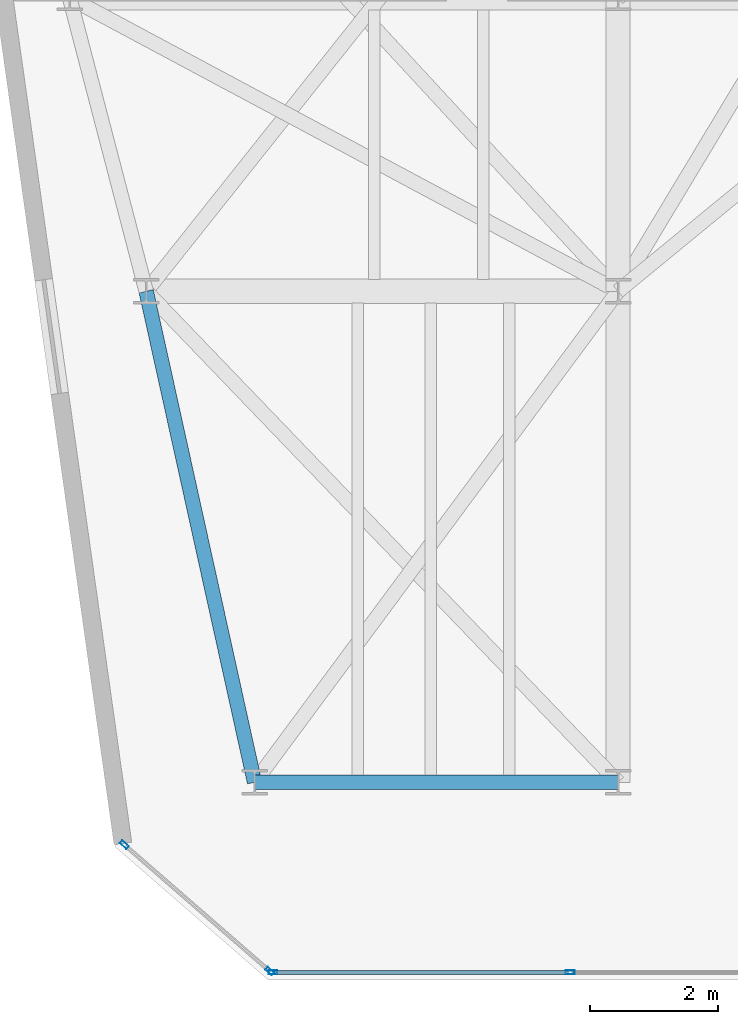
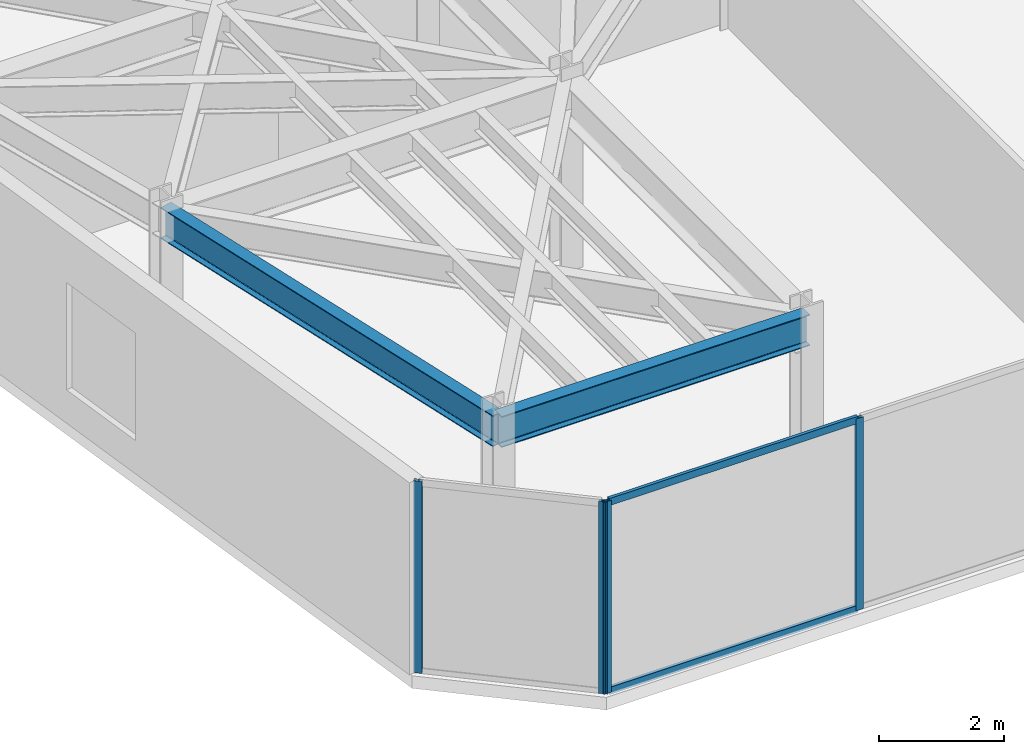
# One storey, part 2 of 21: 6 members, 2 beams, 2 elements without a shape of their own.
"""IFC4 building model written with IfcOpenShell, lengths in metres."""

import ifcopenshell
import ifcopenshell.guid

model = None  # the IFC model being written
_history = None  # IfcOwnerHistory: only IFC2X3 demands one
_inside = {}  # id of a spatial element -> (the spatial element, [elements in it])
_under = {}  # id of a project, library or spatial element -> (it, [spatial elements below it])
_declared = {}  # id of a project -> (the project, [libraries it declares])
_typed = {}  # id of a type object -> (the type object, [elements of that type])
_made_of = {}  # id of a material, layer set ... -> (it, [elements and type objects made of it])


def new_model(schema):
    """Start an empty IFC model of exactly this schema.

    Asked for "IFC4X3", IfcOpenShell would pick the latest addendum, in which some entities
    have other attributes; the version numbers below select the first issue.
    IFC2X3 requires an IfcOwnerHistory on every rooted entity: one is made here for all.
    """
    global model, _history
    if schema == "IFC4X3":
        model = ifcopenshell.file(schema_version=(4, 3, 0, 0))
    else:
        model = ifcopenshell.file(schema=schema)
    _inside.clear()
    _under.clear()
    _declared.clear()
    _typed.clear()
    _made_of.clear()
    _history = None
    if model.schema == "IFC2X3":
        org = make("IfcOrganization", Name="unknown")
        user = make(
            "IfcPersonAndOrganization",
            ThePerson=make("IfcPerson", FamilyName="unknown"),
            TheOrganization=org,
        )
        app = make(
            "IfcApplication",
            ApplicationDeveloper=org,
            Version="unknown",
            ApplicationFullName="unknown",
            ApplicationIdentifier="unknown",
        )
        _history = make(
            "IfcOwnerHistory",
            OwningUser=user,
            OwningApplication=app,
            ChangeAction="ADDED",
            CreationDate=0,
        )
    return model


def make(cls, **values):
    """One entity of the class cls with the attributes given. An attribute that is None is left unset."""
    return model.create_entity(
        cls, **{name: value for name, value in values.items() if value is not None}
    )


def rooted(cls, **values):
    """An entity with a GlobalId (a new one), such as an element, a storey or a relation."""
    return make(cls, GlobalId=ifcopenshell.guid.new(), OwnerHistory=_history, **values)


def si_unit(unit_type, name, prefix=None):
    """IfcSIUnit, for example si_unit("LENGTHUNIT", "METRE", prefix="MILLI")."""
    return make("IfcSIUnit", UnitType=unit_type, Prefix=prefix, Name=name)


def assignment(units):
    """IfcUnitAssignment: the units of a project."""
    return None if units is None else make("IfcUnitAssignment", Units=units)


def point(xyz):
    """IfcCartesianPoint."""
    return None if xyz is None else make("IfcCartesianPoint", Coordinates=xyz)


def direction(xyz):
    """IfcDirection."""
    return None if xyz is None else make("IfcDirection", DirectionRatios=xyz)


def frame(location, z_axis=None, x_axis=None):
    """IfcAxis2Placement3D, a coordinate frame: its origin and axes. An axis left out is left unset."""
    return make(
        "IfcAxis2Placement3D",
        Location=point(location),
        Axis=direction(z_axis),
        RefDirection=direction(x_axis),
    )


def frame_2d(location, x_axis=None):
    """IfcAxis2Placement2D, a coordinate frame in the plane: its origin and x axis."""
    return make(
        "IfcAxis2Placement2D", Location=point(location), RefDirection=direction(x_axis)
    )


def origin():
    """The frame at (0, 0, 0) with its axes left unset."""
    return frame((0.0, 0.0, 0.0))


def origin_2d():
    """The frame at (0, 0) in the plane with its x axis left unset."""
    return frame_2d((0.0, 0.0))


def place(relative_to, where):
    """IfcLocalPlacement: puts the frame where relative to a parent placement (None: the world)."""
    return make(
        "IfcLocalPlacement", PlacementRelTo=relative_to, RelativePlacement=where
    )


def context(
    kind, dimensions, precision=None, world=None, true_north=None, identifier=None
):
    """IfcGeometricRepresentationContext, for example the 3D "Model" context."""
    return make(
        "IfcGeometricRepresentationContext",
        ContextIdentifier=identifier,
        ContextType=kind,
        CoordinateSpaceDimension=dimensions,
        Precision=precision,
        WorldCoordinateSystem=world,
        TrueNorth=true_north,
    )


def subcontext(parent, identifier, kind, view, scale=None):
    """IfcGeometricRepresentationSubContext, for example "Body" below "Model"."""
    return make(
        "IfcGeometricRepresentationSubContext",
        ContextIdentifier=identifier,
        ContextType=kind,
        ParentContext=parent,
        TargetScale=scale,
        TargetView=view,
    )


def project(units=None, contexts=None):
    """IfcProject with its units and contexts."""
    return rooted(
        "IfcProject",
        Name="project",
        RepresentationContexts=contexts,
        UnitsInContext=assignment(units),
    )


def spatial(cls, under=None, at=None, **own):
    """A site, building, storey or space (cls), placed at a placement, below another one or the project."""
    s = rooted(cls, ObjectPlacement=at, **own)
    if under is not None:
        _under.setdefault(under.id(), (under, []))[1].append(s)
    return s


def profile(cls, at=None, kind="AREA", **sizes):
    """A parametric profile (cls). Its sizes go by their IFC names, for example OverallWidth=200.0."""
    return make(cls, ProfileType=kind, Position=at, **sizes)


def hollow_rectangle(**sizes):
    """IfcRectangleHollowProfileDef."""
    return profile("IfcRectangleHollowProfileDef", **sizes)


def i_section(**sizes):
    """IfcIShapeProfileDef."""
    return profile("IfcIShapeProfileDef", **sizes)


def extrude(swept, where, along, depth):
    """IfcExtrudedAreaSolid: the profile swept, set in the frame where, extruded along a direction by depth."""
    return make(
        "IfcExtrudedAreaSolid",
        SweptArea=swept,
        Position=where,
        ExtrudedDirection=direction(along),
        Depth=depth,
    )


def shape(context_of_items, identifier, shape_type, items):
    """IfcShapeRepresentation: the items that make up one representation, for example the "Body"."""
    return make(
        "IfcShapeRepresentation",
        ContextOfItems=context_of_items,
        RepresentationIdentifier=identifier,
        RepresentationType=shape_type,
        Items=items,
    )


def material(Name=None, Category=None):
    """IfcMaterial."""
    return make("IfcMaterial", Name=Name, Category=Category)


def layer(
    of_material, thickness, ventilated=None, Name=None, Category=None, Priority=None
):
    """IfcMaterialLayer: one layer of a wall or slab, of a material (None: an air gap)."""
    return make(
        "IfcMaterialLayer",
        Material=of_material,
        LayerThickness=thickness,
        IsVentilated=ventilated,
        Name=Name,
        Category=Category,
        Priority=Priority,
    )


def layer_set(layers, Name=None):
    """IfcMaterialLayerSet."""
    return make("IfcMaterialLayerSet", MaterialLayers=layers, LayerSetName=Name)


def material_profile(
    of_material, cross_section, Name=None, Category=None, Priority=None
):
    """IfcMaterialProfile: a cross section and its material."""
    return make(
        "IfcMaterialProfile",
        Name=Name,
        Material=of_material,
        Profile=cross_section,
        Priority=Priority,
        Category=Category,
    )


def profile_set(profiles, Name=None, composite=None):
    """IfcMaterialProfileSet."""
    return make(
        "IfcMaterialProfileSet",
        Name=Name,
        MaterialProfiles=profiles,
        CompositeProfile=composite,
    )


def made_of(thing, what):
    """Note that an element or type object is made of a material, layer set ...; save() writes the relation."""
    if what is not None:
        _made_of.setdefault(what.id(), (what, []))[1].append(thing)
    return thing


def type_object(cls, material=None, **own):
    """A type object (cls), such as IfcWallType, which elements share."""
    return made_of(rooted(cls, **own), material)


def element(
    cls,
    number,
    at=None,
    inside=None,
    cuts=None,
    type_object=None,
    material=None,
    context=None,
    identifier="Body",
    shape_type=None,
    held_by="IfcProductDefinitionShape",
    body=None,
    shapes=None,
    **own,
):
    """One element of the class cls, such as IfcWall. Its Tag is "e" and its number.

    at: its placement. inside: the storey or other place that contains it. cuts: it is an
    opening in that element (IfcRelVoidsElement). A single representation is given by context,
    identifier, shape_type and body (its items); several are given by shapes. held_by: the class
    of the entity that holds the representations. save() writes the other relations.
    """
    e = rooted(cls, Tag="e%d" % number, ObjectPlacement=at, **own)
    if body is not None:
        shapes = [shape(context, identifier, shape_type, body)]
    if shapes is not None:
        e.Representation = make(held_by, Representations=shapes)
    if inside is not None:
        _inside.setdefault(inside.id(), (inside, []))[1].append(e)
    if cuts is not None:
        rooted(
            "IfcRelVoidsElement", RelatingBuildingElement=cuts, RelatedOpeningElement=e
        )
    if type_object is not None:
        _typed.setdefault(type_object.id(), (type_object, []))[1].append(e)
    return made_of(e, material)


def aggregate(whole, parts):
    """IfcRelAggregates: a whole, such as a stair, and the parts it consists of."""
    return rooted("IfcRelAggregates", RelatingObject=whole, RelatedObjects=parts)


def save(model, path):
    """Write the relations noted so far, then the file.

    IfcRelAggregates (storeys below a building ...), IfcRelContainedInSpatialStructure (elements
    in a storey), IfcRelDefinesByType, IfcRelAssociatesMaterial and IfcRelDeclares: one each for
    every whole, place, type object, material and project.
    """
    for whole, parts in _under.values():
        aggregate(whole, parts)
    for where, things in _inside.values():
        rooted(
            "IfcRelContainedInSpatialStructure",
            RelatedElements=things,
            RelatingStructure=where,
        )
    for kind, things in _typed.values():
        rooted("IfcRelDefinesByType", RelatedObjects=things, RelatingType=kind)
    for what, things in _made_of.values():
        rooted("IfcRelAssociatesMaterial", RelatedObjects=things, RelatingMaterial=what)
    for by, libraries in _declared.values():
        rooted("IfcRelDeclares", RelatingContext=by, RelatedDefinitions=libraries)
    model.write(path)


model = new_model("IFC4")

# Units and contexts
model_context = context("Model", 3, precision=1e-05, world=origin(), true_north=direction((0.0, 1.0)))
body_context = subcontext(model_context, "Body", "Model", "MODEL_VIEW")
ifc_project = project(units=[si_unit("LENGTHUNIT", "METRE"), si_unit("AREAUNIT", "SQUARE_METRE"), si_unit("VOLUMEUNIT", "CUBIC_METRE"), si_unit("PLANEANGLEUNIT", "RADIAN"), si_unit("MASSUNIT", "GRAM", prefix="KILO")], contexts=[model_context])

# Site, building, storey
site_placement = place(None, origin())
site = spatial("IfcSite", under=ifc_project, at=site_placement, CompositionType="ELEMENT")
building_placement = place(site_placement, origin())
building = spatial("IfcBuilding", under=site, at=building_placement, Name="Kravanh Interchange Tower", CompositionType="ELEMENT")
storey_placement = place(building_placement, frame((0.0, 0.0, 208.5)))
storey = spatial("IfcBuildingStorey", under=building, at=storey_placement, Name="L50", CompositionType="ELEMENT", Elevation=208.5)

# Curtain wall, members
ifc_material_1 = material(Name="Anodised Bronze Aluminium", Category="aluminium")
ifc_layer = layer(ifc_material_1, 0.179931640625)
ifc_layer_set = layer_set([ifc_layer], Name="Unitised Curtain Wall System CW-Z3 Upper Office")
curtain_wall_type = type_object("IfcCurtainWallType", Name="Unitised Curtain Wall System CW-Z3 Upper Office", PredefinedType="NOTDEFINED", material=ifc_layer_set)
curtain_wall_1_placement = place(storey_placement, origin())
curtain_wall_1 = element("IfcCurtainWall", 1, at=curtain_wall_1_placement, inside=storey, type_object=curtain_wall_type, Name="L50 Unitised Curtain Wall CW-L50-05", PredefinedType="NOTDEFINED")
ifc_material_2 = material(Name="Anodised Bronze Aluminium", Category="aluminium")
ifc_material_profile_1 = material_profile(ifc_material_2, hollow_rectangle(XDim=0.06005859375, YDim=0.139892578125, WallThickness=0.00390625, at=origin_2d()), Name="ALU60X140X4")
ifc_profile_set_1 = profile_set([ifc_material_profile_1], Name="Anodised Bronze Aluminium")
member_type_1 = type_object("IfcMemberType", Name="Curtain Wall Mullion ALU60X140X4 Bronze", PredefinedType="MULLION", material=ifc_profile_set_1)
member_1_placement = place(storey_placement, frame((26.447998046875, 11.52001953125, 0.0), z_axis=(0.0, 0.0, 1.0), x_axis=(0.0, -1.0, 0.0)))
member_1 = element("IfcMember", 2, at=member_1_placement, type_object=member_type_1, Name="CW-Z3 mullion 2", PredefinedType="MULLION", context=body_context, shape_type="SweptSolid", body=[
    extrude(hollow_rectangle(XDim=0.06005859375, YDim=0.139892578125, WallThickness=0.00390625, at=origin_2d()), origin(), (0.0, 0.0, 1.0), 3.7548828125),
])
member_2_placement = place(storey_placement, frame((21.7890625, 11.52001953125, 0.0), z_axis=(0.0, 0.0, 1.0), x_axis=(0.0, -1.0, 0.0)))
member_2 = element("IfcMember", 3, at=member_2_placement, type_object=member_type_1, Name="CW-Z3 mullion 3", PredefinedType="MULLION", context=body_context, shape_type="SweptSolid", body=[
    extrude(hollow_rectangle(XDim=0.06005859375, YDim=0.139892578125, WallThickness=0.00390625, at=origin_2d()), origin(), (0.0, 0.0, 1.0), 3.7548828125),
])

curtain_wall_2_placement = place(storey_placement, origin())
curtain_wall_2 = element("IfcCurtainWall", 4, at=curtain_wall_2_placement, inside=storey, type_object=curtain_wall_type, Name="L50 Unitised Curtain Wall CW-L50-06", PredefinedType="NOTDEFINED")
member_3_placement = place(storey_placement, frame((21.736328125, 11.539794921875, 0.0), z_axis=(0.0, 0.0, 1.0), x_axis=(-0.65605090137, -0.754716645379, 0.0)))
member_3 = element("IfcMember", 5, at=member_3_placement, type_object=member_type_1, Name="CW-Z3 mullion 1", PredefinedType="MULLION", context=body_context, shape_type="SweptSolid", body=[
    extrude(hollow_rectangle(XDim=0.06005859375, YDim=0.139892578125, WallThickness=0.00390625, at=origin_2d()), origin(), (0.0, 0.0, 1.0), 3.7548828125),
])
member_4_placement = place(storey_placement, frame((19.45703125, 13.52099609375, 0.0), z_axis=(0.0, 0.0, 1.0), x_axis=(-0.65605090137, -0.754716645379, 0.0)))
member_4 = element("IfcMember", 6, at=member_4_placement, type_object=member_type_1, Name="CW-Z3 mullion 2", PredefinedType="MULLION", context=body_context, shape_type="SweptSolid", body=[
    extrude(hollow_rectangle(XDim=0.06005859375, YDim=0.139892578125, WallThickness=0.00390625, at=origin_2d()), origin(), (0.0, 0.0, 1.0), 3.7548828125),
])
aggregate(curtain_wall_2, [member_3, member_4])

# Member
ifc_material_3 = material(Name="Anodised Bronze Aluminium", Category="aluminium")
ifc_material_profile_2 = material_profile(ifc_material_3, hollow_rectangle(XDim=0.06005859375, YDim=0.139892578125, WallThickness=0.00390625, at=origin_2d()), Name="ALU60X140X4")
ifc_profile_set_2 = profile_set([ifc_material_profile_2], Name="Anodised Bronze Aluminium")
member_type_2 = type_object("IfcMemberType", Name="Curtain Wall Transom ALU60X140X4 Bronze", PredefinedType="USERDEFINED", material=ifc_profile_set_2)
member_5_placement = place(storey_placement, frame((26.41796875, 11.52001953125, 0.030029296875), z_axis=(-1.0, 0.0, 0.0), x_axis=(0.0, -1.0, 0.0)))
member_5 = element("IfcMember", 7, at=member_5_placement, type_object=member_type_2, Name="CW-Z3 transom 2.1", ObjectType="TRANSOM", PredefinedType="USERDEFINED", context=body_context, shape_type="SweptSolid", body=[
    extrude(hollow_rectangle(XDim=0.06005859375, YDim=0.139892578125, WallThickness=0.00390625, at=origin_2d()), origin(), (0.0, 0.0, 1.0), 4.598876953125),
])

member_6_placement = place(storey_placement, frame((26.41796875, 11.52001953125, 3.72509765625), z_axis=(-1.0, 0.0, 0.0), x_axis=(0.0, -1.0, 0.0)))
member_6 = element("IfcMember", 8, at=member_6_placement, type_object=member_type_2, Name="CW-Z3 transom 2.2", ObjectType="TRANSOM", PredefinedType="USERDEFINED", context=body_context, shape_type="SweptSolid", body=[
    extrude(hollow_rectangle(XDim=0.06005859375, YDim=0.139892578125, WallThickness=0.00390625, at=origin_2d()), origin(), (0.0, 0.0, 1.0), 4.598876953125),
])

aggregate(curtain_wall_1, [member_1, member_2, member_5, member_6])

# Beams
ifc_material_4 = material(Name="Structural Steel S355", Category="steel")
ifc_material_profile_3 = material_profile(ifc_material_4, i_section(OverallWidth=0.22802734375, OverallDepth=0.60791015625, WebThickness=0.01123046875, FlangeThickness=0.017333984375, FilletRadius=0.02197265625, at=origin_2d()), Name="W24X76")
ifc_profile_set_3 = profile_set([ifc_material_profile_3], Name="Structural Steel S355")
beam_type = type_object("IfcBeamType", Name="Floor Spandrel W24X76 Structural Steel S355", PredefinedType="SPANDREL", material=ifc_profile_set_3)
beam_1_placement = place(storey_placement, frame((21.5, 14.5, 3.450927734375), z_axis=(1.0, 0.0, 0.0), x_axis=(0.0, 1.0, 0.0)))
element("IfcBeam", 9, at=beam_1_placement, inside=storey, type_object=beam_type, Name="L50 Perimeter Spandrel 30", PredefinedType="SPANDREL", context=body_context, shape_type="SweptSolid", body=[
    extrude(i_section(OverallWidth=0.22802734375, OverallDepth=0.60791015625, WebThickness=0.01123046875, FlangeThickness=0.017333984375, FilletRadius=0.02197265625, at=origin_2d()), origin(), (0.0, 0.0, 1.0), 5.699951171875),
])
beam_2_placement = place(storey_placement, frame((21.5, 14.5, 3.450927734375), z_axis=(-0.215582892261, 0.976485543449, 0.0), x_axis=(-0.976485543449, -0.215582892261, 0.0)))
element("IfcBeam", 10, at=beam_2_placement, inside=storey, type_object=beam_type, Name="L50 Perimeter Spandrel 31", PredefinedType="SPANDREL", context=body_context, shape_type="SweptSolid", body=[
    extrude(i_section(OverallWidth=0.22802734375, OverallDepth=0.60791015625, WebThickness=0.01123046875, FlangeThickness=0.017333984375, FilletRadius=0.02197265625, at=origin_2d()), origin(), (0.0, 0.0, 1.0), 7.88525390625),
])

save(model, "model.ifc")
